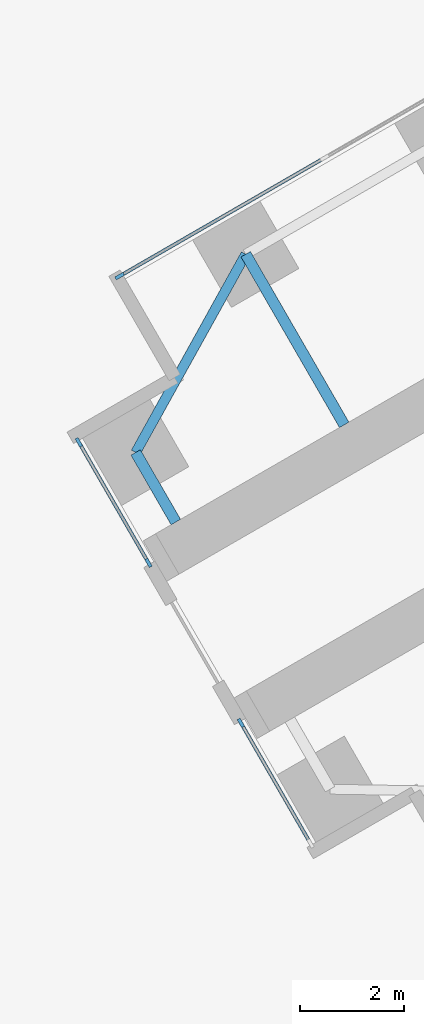
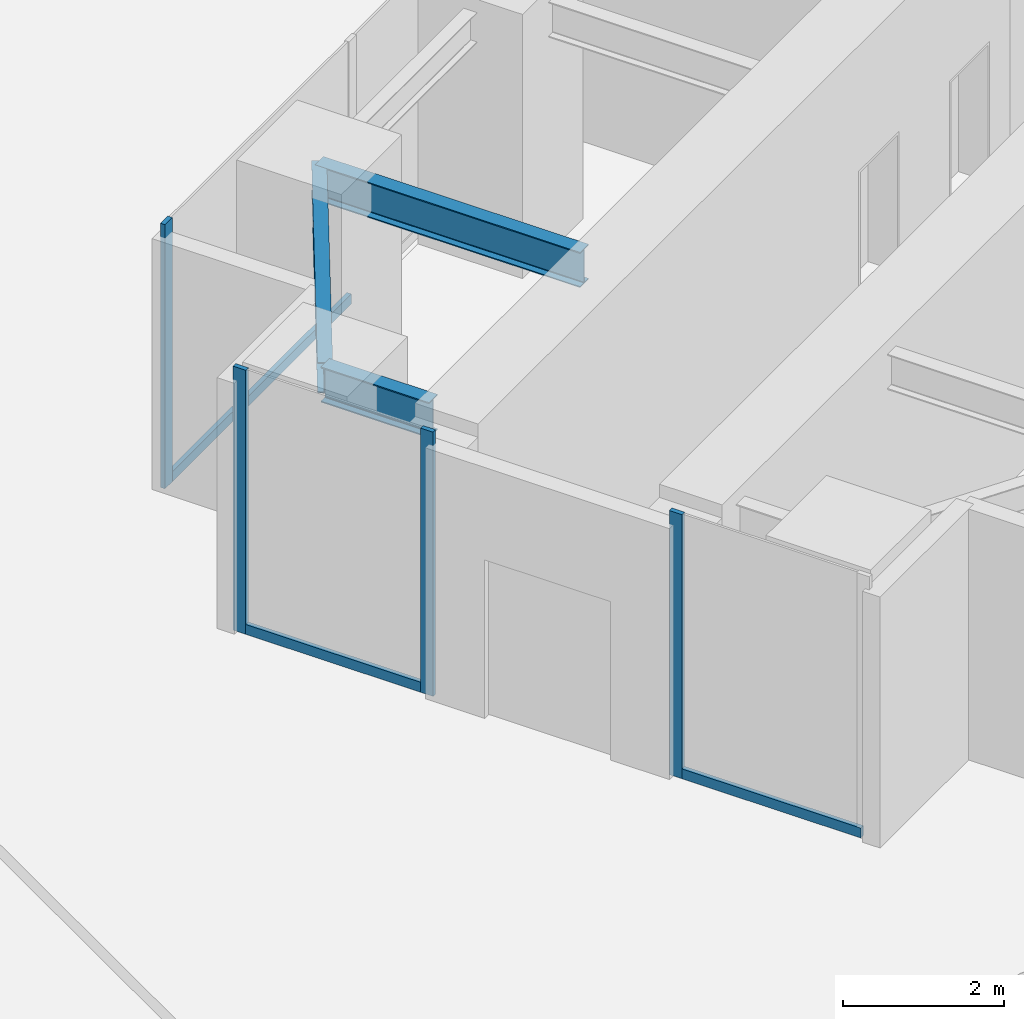
# One storey, part 3 of 23: 7 members, 3 beams, 3 elements without a shape of their own.
"""IFC4 building model written with IfcOpenShell, lengths in metres."""

from ifc_helpers import new_model, si_unit, direction, frame, origin, origin_2d, place, context, subcontext, project, spatial, rectangle, i_section, extrude, material, material_profile, profile_set, type_object, element, aggregate, save


model = new_model("IFC4")

# Units and contexts
model_context = context("Model", 3, precision=1e-05, world=origin(), true_north=direction((0.0, 1.0)))
body_context = subcontext(model_context, "Body", "Model", "MODEL_VIEW")
ifc_project = project(units=[si_unit("LENGTHUNIT", "METRE"), si_unit("AREAUNIT", "SQUARE_METRE"), si_unit("VOLUMEUNIT", "CUBIC_METRE"), si_unit("PLANEANGLEUNIT", "RADIAN"), si_unit("MASSUNIT", "GRAM", prefix="KILO")], contexts=[model_context])

# Site, building, storey
site_placement = place(None, origin())
site = spatial("IfcSite", under=ifc_project, at=site_placement, CompositionType="ELEMENT")
building_placement = place(site_placement, origin())
building = spatial("IfcBuilding", under=site, at=building_placement, Name="Upepo Twin Towers", CompositionType="ELEMENT")
storey_placement = place(building_placement, frame((0.0, 0.0, 20.5)))
storey = spatial("IfcBuildingStorey", under=building, at=storey_placement, Name="L04", CompositionType="ELEMENT", Elevation=20.5)

# Beams
ifc_material_1 = material(Name="Steel S355", Category="steel")
ifc_material_profile_1 = material_profile(ifc_material_1, i_section(OverallWidth=0.1904296875, OverallDepth=0.45703125, WebThickness=0.009033203125, FlangeThickness=0.014404296875, FilletRadius=0.01025390625, at=origin_2d()), Name="UB 457x191x74")
ifc_profile_set_1 = profile_set([ifc_material_profile_1], Name="Steel S355")
beam_type_1 = type_object("IfcBeamType", Name="Beam UB 457x191x74", PredefinedType="BEAM", material=ifc_profile_set_1)
beam_1_placement = place(storey_placement, frame((36.014404296875, -24.053955078125, 3.571533203125), z_axis=(-0.485363242752, -0.874312600038, 0.0), x_axis=(0.874312600038, -0.485363242752, 0.0)))
element("IfcBeam", 1, at=beam_1_placement, inside=storey, type_object=beam_type_1, Name="T2 nose edge beam BR", PredefinedType="BEAM", context=body_context, shape_type="SweptSolid", body=[
    extrude(i_section(OverallWidth=0.1904296875, OverallDepth=0.45703125, WebThickness=0.009033203125, FlangeThickness=0.014404296875, FilletRadius=0.01025390625, at=origin_2d()), origin(), (0.0, 0.0, 1.0), 4.373046875),
])
ifc_material_2 = material(Name="Steel S355", Category="steel")
ifc_material_profile_2 = material_profile(ifc_material_2, i_section(OverallWidth=0.2099609375, OverallDepth=0.53662109375, WebThickness=0.0107421875, FlangeThickness=0.017333984375, FilletRadius=0.0126953125, at=origin_2d()), Name="UB 533x210x101")
ifc_profile_set_2 = profile_set([ifc_material_profile_2], Name="Steel S355")
beam_type_2 = type_object("IfcBeamType", Name="Beam UB 533x210x101", PredefinedType="BEAM", material=ifc_profile_set_2)
beam_2_placement = place(storey_placement, frame((33.891845703125, -27.87744140625, 3.53173828125), z_axis=(0.499967891604, -0.866043940782, 0.0), x_axis=(0.866043940782, 0.499967891604, 0.0)))
element("IfcBeam", 2, at=beam_2_placement, inside=storey, type_object=beam_type_2, Name="T2 nose beam BR", PredefinedType="BEAM", context=body_context, shape_type="SweptSolid", body=[
    extrude(i_section(OverallWidth=0.2099609375, OverallDepth=0.53662109375, WebThickness=0.0107421875, FlangeThickness=0.017333984375, FilletRadius=0.0126953125, at=origin_2d()), origin(), (0.0, 0.0, 1.0), 1.5498046875),
])
ifc_material_3 = material(Name="Steel S355", Category="steel")
ifc_material_profile_3 = material_profile(ifc_material_3, i_section(OverallWidth=0.209228515625, OverallDepth=0.533203125, WebThickness=0.010009765625, FlangeThickness=0.015625, FilletRadius=0.0126953125, at=origin_2d()), Name="UB 533x210x92")
ifc_profile_set_3 = profile_set([ifc_material_profile_3], Name="Steel S355")
beam_type_3 = type_object("IfcBeamType", Name="Beam UB 533x210x92", PredefinedType="BEAM", material=ifc_profile_set_3)
beam_3_placement = place(storey_placement, frame((36.014404296875, -24.053955078125, 3.533447265625), z_axis=(0.499994975061, -0.866028304915, 0.0), x_axis=(0.866028304915, 0.499994975061, 0.0)))
element("IfcBeam", 3, at=beam_3_placement, inside=storey, type_object=beam_type_3, Name="T2 girder BR at 22.5", PredefinedType="BEAM", context=body_context, shape_type="SweptSolid", body=[
    extrude(i_section(OverallWidth=0.209228515625, OverallDepth=0.533203125, WebThickness=0.010009765625, FlangeThickness=0.015625, FilletRadius=0.0126953125, at=origin_2d()), origin(), (0.0, 0.0, 1.0), 3.7998046875),
])

# Curtain wall, member
ifc_material_4 = material(Name="Aluminium and fritted glass", Category="aluminium")
curtain_wall_type = type_object("IfcCurtainWallType", Name="Tower curtain wall TW1, fritted glass", PredefinedType="NOTDEFINED", material=ifc_material_4)
curtain_wall_1_placement = place(storey_placement, origin())
curtain_wall_1 = element("IfcCurtainWall", 4, at=curtain_wall_1_placement, inside=storey, type_object=curtain_wall_type, Name="T2 L04 wing B flank R curtain wall", PredefinedType="NOTDEFINED")
ifc_material_5 = material(Name="Aluminium mullion", Category="aluminium")
ifc_material_profile_4 = material_profile(ifc_material_5, rectangle(XDim=0.06494140625, YDim=0.179931640625, at=origin_2d()), Name="MULLION 65x180")
ifc_profile_set_4 = profile_set([ifc_material_profile_4], Name="Aluminium mullion")
member_type_1 = type_object("IfcMemberType", Name="Mullion 65x180 TW1", PredefinedType="MULLION", material=ifc_profile_set_4)
member_1_placement = place(storey_placement, frame((33.58251953125, -24.4765625, 0.0), z_axis=(0.0, 0.0, 1.0), x_axis=(-0.500000024426, 0.866025389682, 0.0)))
member_1 = element("IfcMember", 5, at=member_1_placement, type_object=member_type_1, Name="T2 L04 wing B flank R curtain wall mullion 1", PredefinedType="MULLION", context=body_context, shape_type="SweptSolid", body=[
    extrude(rectangle(XDim=0.06494140625, YDim=0.179931640625, at=origin_2d()), origin(), (0.0, 0.0, 1.0), 4.0),
])

# Curtain wall, members
curtain_wall_2_placement = place(storey_placement, origin())
curtain_wall_2 = element("IfcCurtainWall", 6, at=curtain_wall_2_placement, inside=storey, type_object=curtain_wall_type, Name="T2 L04 wing B nose curtain wall 0", PredefinedType="NOTDEFINED")
member_2_placement = place(storey_placement, frame((32.796875, -27.68115234375, 0.0), z_axis=(0.0, 0.0, 1.0), x_axis=(0.866025416473, 0.499999978023, 0.0)))
member_2 = element("IfcMember", 7, at=member_2_placement, type_object=member_type_1, Name="T2 L04 wing B nose curtain wall 0 mullion 1", PredefinedType="MULLION", context=body_context, shape_type="SweptSolid", body=[
    extrude(rectangle(XDim=0.06494140625, YDim=0.179931640625, at=origin_2d()), origin(), (0.0, 0.0, 1.0), 4.0),
])
member_3_placement = place(storey_placement, frame((34.139404296875, -30.00634765625, 0.0), z_axis=(0.0, 0.0, 1.0), x_axis=(0.866025416473, 0.499999978023, 0.0)))
member_3 = element("IfcMember", 8, at=member_3_placement, type_object=member_type_1, Name="T2 L04 wing B nose curtain wall 0 mullion 2", PredefinedType="MULLION", context=body_context, shape_type="SweptSolid", body=[
    extrude(rectangle(XDim=0.06494140625, YDim=0.179931640625, at=origin_2d()), origin(), (0.0, 0.0, 1.0), 4.0),
])

# Curtain wall, member
curtain_wall_3_placement = place(storey_placement, origin())
curtain_wall_3 = element("IfcCurtainWall", 9, at=curtain_wall_3_placement, inside=storey, type_object=curtain_wall_type, Name="T2 L04 wing B nose curtain wall 2", PredefinedType="NOTDEFINED")
member_4_placement = place(storey_placement, frame((35.921875, -33.09375, 0.0), z_axis=(0.0, 0.0, 1.0), x_axis=(0.866025416473, 0.499999978023, 0.0)))
member_4 = element("IfcMember", 10, at=member_4_placement, type_object=member_type_1, Name="T2 L04 wing B nose curtain wall 2 mullion 1", PredefinedType="MULLION", context=body_context, shape_type="SweptSolid", body=[
    extrude(rectangle(XDim=0.06494140625, YDim=0.179931640625, at=origin_2d()), origin(), (0.0, 0.0, 1.0), 4.0),
])

# Member
ifc_material_6 = material(Name="Aluminium transom", Category="aluminium")
ifc_material_profile_5 = material_profile(ifc_material_6, rectangle(XDim=0.06494140625, YDim=0.14990234375, at=origin_2d()), Name="TRANSOM 65x150")
ifc_profile_set_5 = profile_set([ifc_material_profile_5], Name="Aluminium transom")
member_type_2 = type_object("IfcMemberType", Name="Transom 65x150 TW1", PredefinedType="USERDEFINED", material=ifc_profile_set_5)
member_5_placement = place(storey_placement, frame((33.610595703125, -24.460205078125, 0.074951171875), z_axis=(0.866022143554, 0.500005646842, 0.0), x_axis=(-0.500005646842, 0.866022143554, 0.0)))
member_5 = element("IfcMember", 11, at=member_5_placement, type_object=member_type_2, Name="T2 L04 wing B flank R curtain wall transom 1", ObjectType="TRANSOM", PredefinedType="USERDEFINED", context=body_context, shape_type="SweptSolid", body=[
    extrude(rectangle(XDim=0.06494140625, YDim=0.14990234375, at=origin_2d()), origin(), (0.0, 0.0, 1.0), 4.50244140625),
])

aggregate(curtain_wall_1, [member_1, member_5])

member_6_placement = place(storey_placement, frame((32.813232421875, -27.709228515625, 0.074951171875), z_axis=(0.500007449647, -0.866021102686, 0.0), x_axis=(0.866021102686, 0.500007449647, 0.0)))
member_6 = element("IfcMember", 12, at=member_6_placement, type_object=member_type_2, Name="T2 L04 wing B nose curtain wall 0 transom 1", ObjectType="TRANSOM", PredefinedType="USERDEFINED", context=body_context, shape_type="SweptSolid", body=[
    extrude(rectangle(XDim=0.06494140625, YDim=0.14990234375, at=origin_2d()), origin(), (0.0, 0.0, 1.0), 2.6201171875),
])

aggregate(curtain_wall_2, [member_2, member_3, member_6])

member_7_placement = place(storey_placement, frame((35.938232421875, -33.121826171875, 0.074951171875), z_axis=(0.500007449647, -0.866021102686, 0.0), x_axis=(0.866021102686, 0.500007449647, 0.0)))
member_7 = element("IfcMember", 13, at=member_7_placement, type_object=member_type_2, Name="T2 L04 wing B nose curtain wall 2 transom 1", ObjectType="TRANSOM", PredefinedType="USERDEFINED", context=body_context, shape_type="SweptSolid", body=[
    extrude(rectangle(XDim=0.06494140625, YDim=0.14990234375, at=origin_2d()), origin(), (0.0, 0.0, 1.0), 2.6201171875),
])

aggregate(curtain_wall_3, [member_4, member_7])

save(model, "model.ifc")
